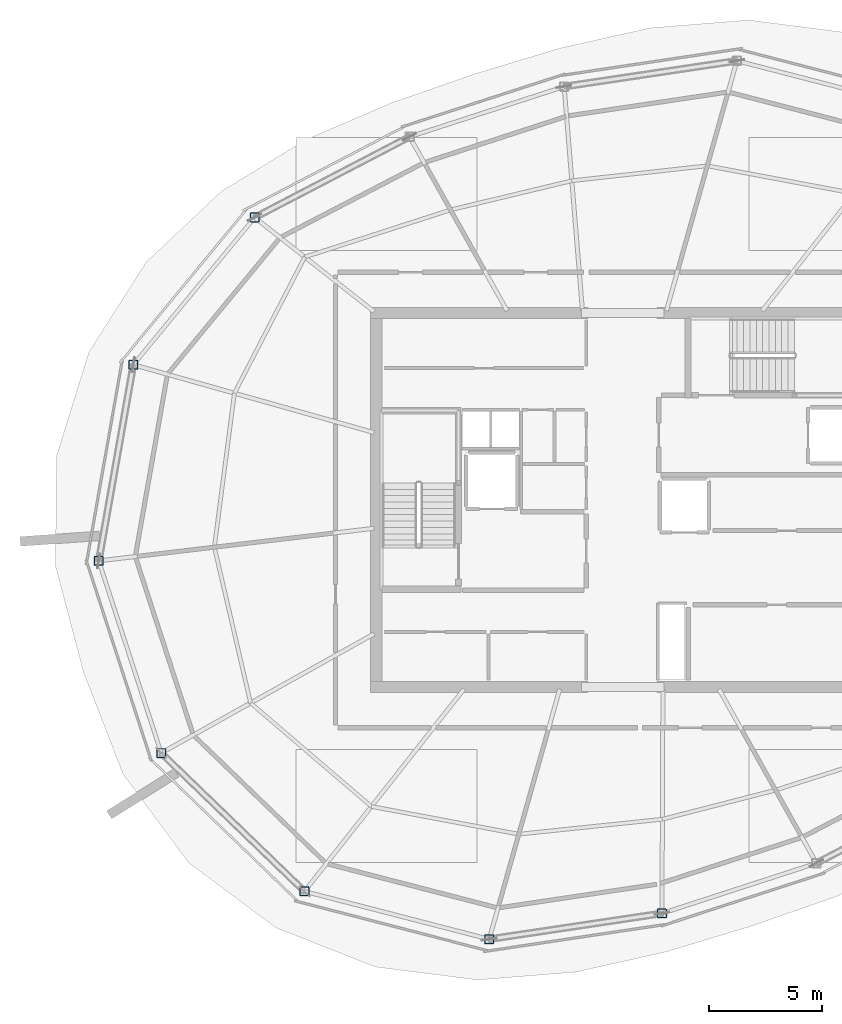
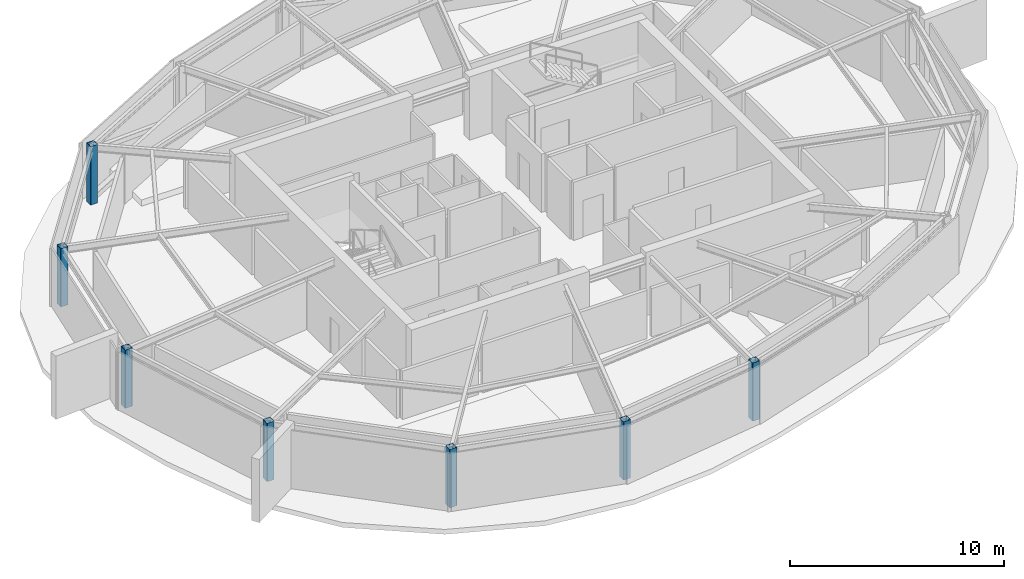
# One storey, part 1 of 10: 7 columns.
"""IFC4 building model written with IfcOpenShell, lengths in metres."""

import ifcopenshell
import ifcopenshell.guid

model = None  # the IFC model being written
_history = None  # IfcOwnerHistory: only IFC2X3 demands one
_inside = {}  # id of a spatial element -> (the spatial element, [elements in it])
_under = {}  # id of a project, library or spatial element -> (it, [spatial elements below it])
_declared = {}  # id of a project -> (the project, [libraries it declares])
_typed = {}  # id of a type object -> (the type object, [elements of that type])
_made_of = {}  # id of a material, layer set ... -> (it, [elements and type objects made of it])


def new_model(schema):
    """Start an empty IFC model of exactly this schema.

    Asked for "IFC4X3", IfcOpenShell would pick the latest addendum, in which some entities
    have other attributes; the version numbers below select the first issue.
    IFC2X3 requires an IfcOwnerHistory on every rooted entity: one is made here for all.
    """
    global model, _history
    if schema == "IFC4X3":
        model = ifcopenshell.file(schema_version=(4, 3, 0, 0))
    else:
        model = ifcopenshell.file(schema=schema)
    _inside.clear()
    _under.clear()
    _declared.clear()
    _typed.clear()
    _made_of.clear()
    _history = None
    if model.schema == "IFC2X3":
        org = make("IfcOrganization", Name="unknown")
        user = make(
            "IfcPersonAndOrganization",
            ThePerson=make("IfcPerson", FamilyName="unknown"),
            TheOrganization=org,
        )
        app = make(
            "IfcApplication",
            ApplicationDeveloper=org,
            Version="unknown",
            ApplicationFullName="unknown",
            ApplicationIdentifier="unknown",
        )
        _history = make(
            "IfcOwnerHistory",
            OwningUser=user,
            OwningApplication=app,
            ChangeAction="ADDED",
            CreationDate=0,
        )
    return model


def make(cls, **values):
    """One entity of the class cls with the attributes given. An attribute that is None is left unset."""
    return model.create_entity(
        cls, **{name: value for name, value in values.items() if value is not None}
    )


def rooted(cls, **values):
    """An entity with a GlobalId (a new one), such as an element, a storey or a relation."""
    return make(cls, GlobalId=ifcopenshell.guid.new(), OwnerHistory=_history, **values)


def si_unit(unit_type, name, prefix=None):
    """IfcSIUnit, for example si_unit("LENGTHUNIT", "METRE", prefix="MILLI")."""
    return make("IfcSIUnit", UnitType=unit_type, Prefix=prefix, Name=name)


def assignment(units):
    """IfcUnitAssignment: the units of a project."""
    return None if units is None else make("IfcUnitAssignment", Units=units)


def point(xyz):
    """IfcCartesianPoint."""
    return None if xyz is None else make("IfcCartesianPoint", Coordinates=xyz)


def direction(xyz):
    """IfcDirection."""
    return None if xyz is None else make("IfcDirection", DirectionRatios=xyz)


def frame(location, z_axis=None, x_axis=None):
    """IfcAxis2Placement3D, a coordinate frame: its origin and axes. An axis left out is left unset."""
    return make(
        "IfcAxis2Placement3D",
        Location=point(location),
        Axis=direction(z_axis),
        RefDirection=direction(x_axis),
    )


def frame_2d(location, x_axis=None):
    """IfcAxis2Placement2D, a coordinate frame in the plane: its origin and x axis."""
    return make(
        "IfcAxis2Placement2D", Location=point(location), RefDirection=direction(x_axis)
    )


def origin():
    """The frame at (0, 0, 0) with its axes left unset."""
    return frame((0.0, 0.0, 0.0))


def origin_2d():
    """The frame at (0, 0) in the plane with its x axis left unset."""
    return frame_2d((0.0, 0.0))


def place(relative_to, where):
    """IfcLocalPlacement: puts the frame where relative to a parent placement (None: the world)."""
    return make(
        "IfcLocalPlacement", PlacementRelTo=relative_to, RelativePlacement=where
    )


def context(
    kind, dimensions, precision=None, world=None, true_north=None, identifier=None
):
    """IfcGeometricRepresentationContext, for example the 3D "Model" context."""
    return make(
        "IfcGeometricRepresentationContext",
        ContextIdentifier=identifier,
        ContextType=kind,
        CoordinateSpaceDimension=dimensions,
        Precision=precision,
        WorldCoordinateSystem=world,
        TrueNorth=true_north,
    )


def subcontext(parent, identifier, kind, view, scale=None):
    """IfcGeometricRepresentationSubContext, for example "Body" below "Model"."""
    return make(
        "IfcGeometricRepresentationSubContext",
        ContextIdentifier=identifier,
        ContextType=kind,
        ParentContext=parent,
        TargetScale=scale,
        TargetView=view,
    )


def project(units=None, contexts=None):
    """IfcProject with its units and contexts."""
    return rooted(
        "IfcProject",
        Name="project",
        RepresentationContexts=contexts,
        UnitsInContext=assignment(units),
    )


def spatial(cls, under=None, at=None, **own):
    """A site, building, storey or space (cls), placed at a placement, below another one or the project."""
    s = rooted(cls, ObjectPlacement=at, **own)
    if under is not None:
        _under.setdefault(under.id(), (under, []))[1].append(s)
    return s


def profile(cls, at=None, kind="AREA", **sizes):
    """A parametric profile (cls). Its sizes go by their IFC names, for example OverallWidth=200.0."""
    return make(cls, ProfileType=kind, Position=at, **sizes)


def hollow_rectangle(**sizes):
    """IfcRectangleHollowProfileDef."""
    return profile("IfcRectangleHollowProfileDef", **sizes)


def extrude(swept, where, along, depth):
    """IfcExtrudedAreaSolid: the profile swept, set in the frame where, extruded along a direction by depth."""
    return make(
        "IfcExtrudedAreaSolid",
        SweptArea=swept,
        Position=where,
        ExtrudedDirection=direction(along),
        Depth=depth,
    )


def shape(context_of_items, identifier, shape_type, items):
    """IfcShapeRepresentation: the items that make up one representation, for example the "Body"."""
    return make(
        "IfcShapeRepresentation",
        ContextOfItems=context_of_items,
        RepresentationIdentifier=identifier,
        RepresentationType=shape_type,
        Items=items,
    )


def material(Name=None, Category=None):
    """IfcMaterial."""
    return make("IfcMaterial", Name=Name, Category=Category)


def material_profile(
    of_material, cross_section, Name=None, Category=None, Priority=None
):
    """IfcMaterialProfile: a cross section and its material."""
    return make(
        "IfcMaterialProfile",
        Name=Name,
        Material=of_material,
        Profile=cross_section,
        Priority=Priority,
        Category=Category,
    )


def profile_set(profiles, Name=None, composite=None):
    """IfcMaterialProfileSet."""
    return make(
        "IfcMaterialProfileSet",
        Name=Name,
        MaterialProfiles=profiles,
        CompositeProfile=composite,
    )


def made_of(thing, what):
    """Note that an element or type object is made of a material, layer set ...; save() writes the relation."""
    if what is not None:
        _made_of.setdefault(what.id(), (what, []))[1].append(thing)
    return thing


def type_object(cls, material=None, **own):
    """A type object (cls), such as IfcWallType, which elements share."""
    return made_of(rooted(cls, **own), material)


def element(
    cls,
    number,
    at=None,
    inside=None,
    cuts=None,
    type_object=None,
    material=None,
    context=None,
    identifier="Body",
    shape_type=None,
    held_by="IfcProductDefinitionShape",
    body=None,
    shapes=None,
    **own,
):
    """One element of the class cls, such as IfcWall. Its Tag is "e" and its number.

    at: its placement. inside: the storey or other place that contains it. cuts: it is an
    opening in that element (IfcRelVoidsElement). A single representation is given by context,
    identifier, shape_type and body (its items); several are given by shapes. held_by: the class
    of the entity that holds the representations. save() writes the other relations.
    """
    e = rooted(cls, Tag="e%d" % number, ObjectPlacement=at, **own)
    if body is not None:
        shapes = [shape(context, identifier, shape_type, body)]
    if shapes is not None:
        e.Representation = make(held_by, Representations=shapes)
    if inside is not None:
        _inside.setdefault(inside.id(), (inside, []))[1].append(e)
    if cuts is not None:
        rooted(
            "IfcRelVoidsElement", RelatingBuildingElement=cuts, RelatedOpeningElement=e
        )
    if type_object is not None:
        _typed.setdefault(type_object.id(), (type_object, []))[1].append(e)
    return made_of(e, material)


def aggregate(whole, parts):
    """IfcRelAggregates: a whole, such as a stair, and the parts it consists of."""
    return rooted("IfcRelAggregates", RelatingObject=whole, RelatedObjects=parts)


def save(model, path):
    """Write the relations noted so far, then the file.

    IfcRelAggregates (storeys below a building ...), IfcRelContainedInSpatialStructure (elements
    in a storey), IfcRelDefinesByType, IfcRelAssociatesMaterial and IfcRelDeclares: one each for
    every whole, place, type object, material and project.
    """
    for whole, parts in _under.values():
        aggregate(whole, parts)
    for where, things in _inside.values():
        rooted(
            "IfcRelContainedInSpatialStructure",
            RelatedElements=things,
            RelatingStructure=where,
        )
    for kind, things in _typed.values():
        rooted("IfcRelDefinesByType", RelatedObjects=things, RelatingType=kind)
    for what, things in _made_of.values():
        rooted("IfcRelAssociatesMaterial", RelatedObjects=things, RelatingMaterial=what)
    for by, libraries in _declared.values():
        rooted("IfcRelDeclares", RelatingContext=by, RelatedDefinitions=libraries)
    model.write(path)


model = new_model("IFC4")

# Units and contexts
model_context = context("Model", 3, precision=1e-05, world=origin(), true_north=direction((0.0, 1.0)))
body_context = subcontext(model_context, "Body", "Model", "MODEL_VIEW")
ifc_project = project(units=[si_unit("LENGTHUNIT", "METRE"), si_unit("AREAUNIT", "SQUARE_METRE"), si_unit("VOLUMEUNIT", "CUBIC_METRE"), si_unit("PLANEANGLEUNIT", "RADIAN"), si_unit("MASSUNIT", "GRAM", prefix="KILO")], contexts=[model_context])

# Site, building, storey
site_placement = place(None, origin())
site = spatial("IfcSite", under=ifc_project, at=site_placement, CompositionType="ELEMENT")
building_placement = place(site_placement, origin())
building = spatial("IfcBuilding", under=site, at=building_placement, Name="Kazma Halo Residences", CompositionType="ELEMENT")
storey_placement = place(building_placement, frame((0.0, 0.0, 370.39990234375)))
storey = spatial("IfcBuildingStorey", under=building, at=storey_placement, Name="L93", CompositionType="ELEMENT", Elevation=370.39990234375)

# Columns
ifc_material = material(Name="Steel S355", Category="steel")
ifc_material_profile = material_profile(ifc_material, hollow_rectangle(XDim=0.39990234375, YDim=0.39990234375, WallThickness=0.02001953125, InnerFilletRadius=0.02001953125, OuterFilletRadius=0.0400390625, at=origin_2d()), Name="SHS400x400x20")
ifc_profile_set = profile_set([ifc_material_profile], Name="Steel S355")
column_type = type_object("IfcColumnType", Name="COL-CROWN-SHS400", PredefinedType="COLUMN", material=ifc_profile_set)
for number, where, z_axis, x_axis, name in (
    (1, (32.184814453125, 54.467529296875, 0.0), (0.0, 0.0, 1.0), (1.0, 0.0, 0.0), "L93 CROWN FRAME perimeter column P06"),
    (2, (26.830078125, 47.970458984375, 0.0), (0.0, 0.0, 1.0), (1.0, 0.0, 0.0), "L93 CROWN FRAME perimeter column P07"),
    (3, (25.3037109375, 39.313720703125, 0.0), (0.0, 0.0, 1.0), (1.0, 0.0, 0.0), "L93 CROWN FRAME perimeter column P08"),
    (4, (28.059326171875, 30.832763671875, 0.0), (0.0, 0.0, 1.0), (1.0, 0.0, 0.0), "L93 CROWN FRAME perimeter column P09"),
    (5, (34.382568359375, 24.726318359375, 0.0), (0.0, 0.0, 1.0), (1.0, 0.0, 0.0), "L93 CROWN FRAME perimeter column P10"),
    (6, (42.53369140625, 22.61767578125, 0.0), (0.0, 0.0, 1.0), (1.0, 0.0, 0.0), "L93 CROWN FRAME perimeter column P11"),
    (7, (50.1591796875, 23.75634765625, 0.0), (0.0, 0.0, 1.0), (1.0, 0.0, 0.0), "L93 CROWN FRAME perimeter column P12"),
):
    element("IfcColumn", number, at=place(storey_placement, frame(where, z_axis=z_axis, x_axis=x_axis)), inside=storey, type_object=column_type, Name=name, PredefinedType="COLUMN", context=body_context, shape_type="SweptSolid", body=[
        extrude(hollow_rectangle(XDim=0.39990234375, YDim=0.39990234375, WallThickness=0.02001953125, InnerFilletRadius=0.02001953125, OuterFilletRadius=0.0400390625, at=origin_2d()), origin(), (0.0, 0.0, 1.0), 3.320068359375),
    ])

save(model, "model.ifc")
